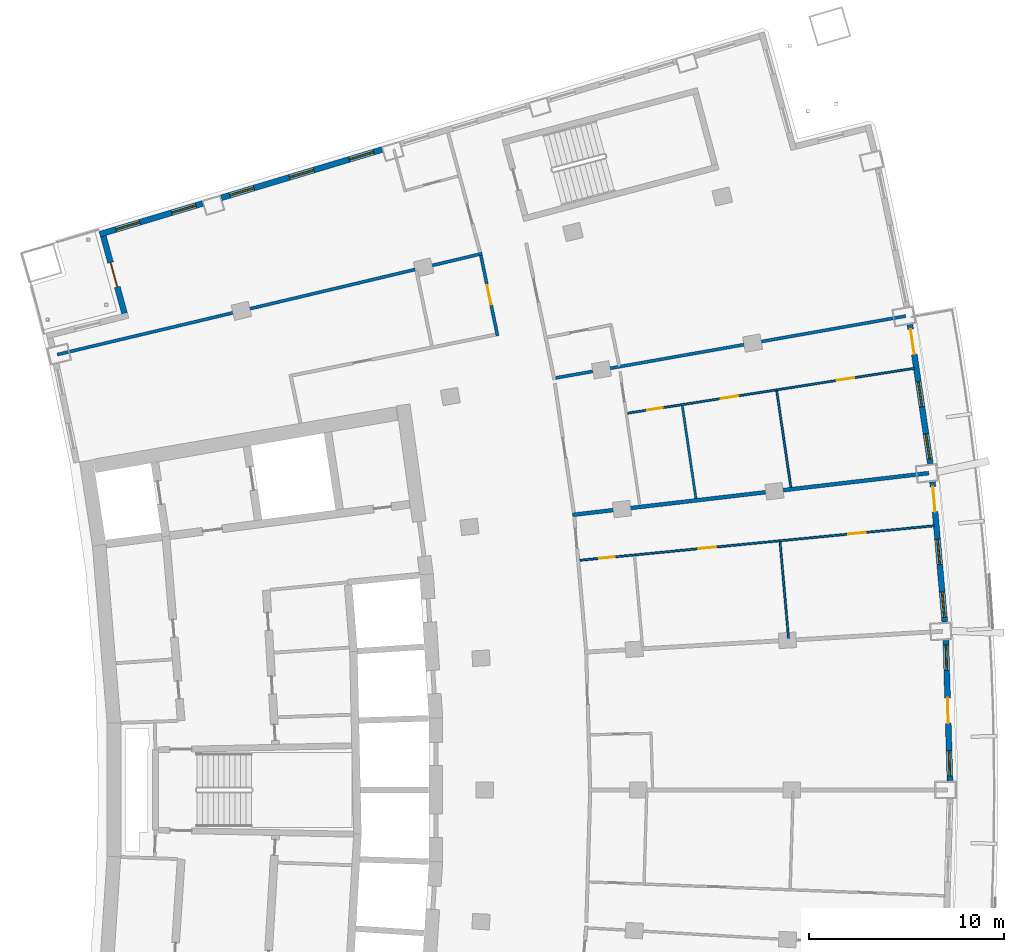
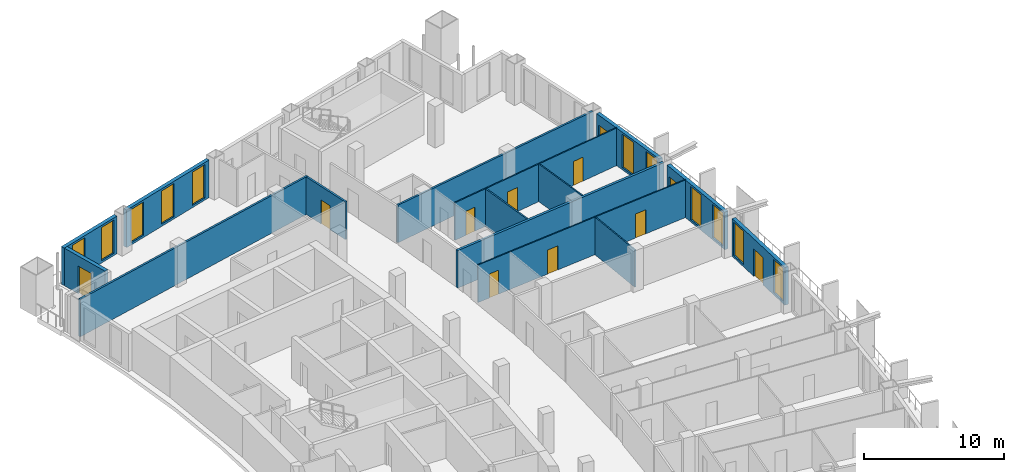
# One storey, part 15 of 20: 15 walls, 11 doors, 11 windows, 22 openings.
"""IFC4 building model written with IfcOpenShell, lengths in metres."""

from ifc_helpers import new_model, si_unit, direction, frame, frame_2d, origin, place, context, subcontext, project, spatial, rectangle, extrude, material, layer, layer_set, type_object, element, fill, save


model = new_model("IFC4")

# Units and contexts
model_context = context("Model", 3, precision=1e-05, world=origin(), true_north=direction((0.0, 1.0)))
body_context = subcontext(model_context, "Body", "Model", "MODEL_VIEW")
ifc_project = project(units=[si_unit("LENGTHUNIT", "METRE"), si_unit("AREAUNIT", "SQUARE_METRE"), si_unit("VOLUMEUNIT", "CUBIC_METRE"), si_unit("PLANEANGLEUNIT", "RADIAN"), si_unit("MASSUNIT", "GRAM", prefix="KILO")], contexts=[model_context])

# Site, building, storey
site_placement = place(None, origin())
site = spatial("IfcSite", under=ifc_project, at=site_placement, CompositionType="ELEMENT")
building_placement = place(site_placement, origin())
building = spatial("IfcBuilding", under=site, at=building_placement, Name="Alderwake Tower", CompositionType="ELEMENT")
storey_placement = place(building_placement, frame((0.0, 0.0, 164.0)))
storey = spatial("IfcBuildingStorey", under=building, at=storey_placement, Name="L40", CompositionType="ELEMENT", Elevation=164.0)

# Wall
ifc_material_1 = material(Name="Gypsum board on metal studs, rated")
ifc_layer_1 = layer(ifc_material_1, 0.159912109375)
ifc_layer_set_1 = layer_set([ifc_layer_1], Name="Corridor wall 160")
wall_type_1 = type_object("IfcWallType", Name="Corridor wall 160", PredefinedType="PARTITIONING", material=ifc_layer_set_1)
wall_1_placement = place(storey_placement, frame((13.884033203125, 83.31298828125, 0.0), z_axis=(0.0, 0.0, 1.0), x_axis=(0.972893462073, 0.231253781493, 0.0)))
element("IfcWall", 1, at=wall_1_placement, inside=storey, type_object=wall_type_1, Name="WL/L40/W11", PredefinedType="PARTITIONING", context=body_context, shape_type="SweptSolid", body=[
    extrude(rectangle(XDim=22.38037109375, YDim=0.159912109375, at=frame_2d((11.190185546875, 0.0))), origin(), (0.0, 0.0, 1.0), 3.280029296875),
])

# Wall, opening, door
wall_2_placement = place(storey_placement, frame((36.451416015625, 84.272705078125, 0.0), z_axis=(0.0, 0.0, 1.0), x_axis=(-0.20329833965, 0.979116839348, 0.0)))
wall_2 = element("IfcWall", 2, at=wall_2_placement, inside=storey, type_object=wall_type_1, Name="WL/L40/W17", PredefinedType="PARTITIONING", context=body_context, shape_type="SweptSolid", body=[
    extrude(rectangle(XDim=4.206787109375, YDim=0.159912109375, at=frame_2d((2.103515625, 0.0))), origin(), (0.0, 0.0, 1.0), 3.280029296875),
])
opening_1_placement = place(wall_2_placement, frame((1.642822265625, 0.0, 0.0)))
opening_1 = element("IfcOpeningElement", 3, at=opening_1_placement, cuts=wall_2, Name="Opening R11-SBN2", PredefinedType="OPENING", context=body_context, shape_type="SweptSolid", body=[
    extrude(rectangle(XDim=1.0, YDim=2.10009765625, at=frame_2d((0.5, 1.050048828125))), frame((0.0, 0.08984375, 0.0), z_axis=(0.0, -1.0, 0.0), x_axis=(1.0, 0.0, 0.0)), (0.0, 0.0, 1.0), 0.179931640625),
])
ifc_material_2 = material(Name="Steel-framed fire door leaf", Category="steel")
door_type_1 = type_object("IfcDoorType", Name="Plant room door 1000 fire-rated", OperationType="SINGLE_SWING_LEFT", PredefinedType="DOOR", material=ifc_material_2)
door_1_placement = place(opening_1_placement, origin())
door_1 = element("IfcDoor", 4, at=door_1_placement, inside=storey, type_object=door_type_1, Name="DR/L40/SBN2", OperationType="SINGLE_SWING_LEFT", OverallHeight=2.10009765625, OverallWidth=1.0, PredefinedType="DOOR", context=body_context, shape_type="SweptSolid", body=[
    extrude(rectangle(XDim=1.0, YDim=2.10009765625, at=frame_2d((0.5, 1.050048828125))), frame((0.0, 0.02490234375, 0.0), z_axis=(0.0, -1.0, 0.0), x_axis=(1.0, 0.0, 0.0)), (0.0, 0.0, 1.0), 0.050048828125),
])
fill(opening_1, door_1)

# Wall
wall_3_placement = place(storey_placement, frame((57.368896484375, 85.287109375, 0.0), z_axis=(0.0, 0.0, 1.0), x_axis=(-0.984728473355, -0.174097196314, 0.0)))
element("IfcWall", 5, at=wall_3_placement, inside=storey, type_object=wall_type_1, Name="WL/L40/W28", PredefinedType="PARTITIONING", context=body_context, shape_type="SweptSolid", body=[
    extrude(rectangle(XDim=18.220458984375, YDim=0.159912109375, at=frame_2d((9.1103515625, 0.0))), origin(), (0.0, 0.0, 1.0), 3.280029296875),
])

# Wall, openings, door, windows
ifc_material_3 = material(Name="Precast concrete C50/60 spandrel panel", Category="concrete")
ifc_layer_2 = layer(ifc_material_3, 0.300048828125)
ifc_layer_set_2 = layer_set([ifc_layer_2], Name="External wall EW1 Precast concrete C50/60 spandrel")
wall_type_2 = type_object("IfcWallType", Name="External wall EW1 Precast concrete C50/60 spandrel", PredefinedType="SOLIDWALL", material=ifc_layer_set_2)
wall_4_placement = place(storey_placement, frame((59.63623046875, 61.472900390625, 0.0), z_axis=(0.0, 0.0, 1.0), x_axis=(-0.029165845971, 0.999574586226, 0.0)))
wall_4 = element("IfcWall", 6, at=wall_4_placement, inside=storey, type_object=wall_type_2, Name="External wall 16", PredefinedType="SOLIDWALL", context=body_context, shape_type="SweptSolid", body=[
    extrude(rectangle(XDim=7.198974609375, YDim=0.300048828125, at=frame_2d((3.599609375, 0.0))), origin(), (0.0, 0.0, 1.0), 3.280029296875),
])
opening_2_placement = place(wall_4_placement, frame((0.2392578125, 0.0, 0.199951171875)))
opening_2 = element("IfcOpeningElement", 7, at=opening_2_placement, cuts=wall_4, Name="Opening W1", PredefinedType="OPENING", context=body_context, shape_type="SweptSolid", body=[
    extrude(rectangle(XDim=1.300048828125, YDim=2.89990234375, at=frame_2d((0.64990234375, 1.449951171875))), frame((0.0, 0.159912109375, 0.0), z_axis=(0.0, -1.0, 0.0), x_axis=(1.0, 0.0, 0.0)), (0.0, 0.0, 1.0), 0.320068359375),
])
opening_3_placement = place(wall_4_placement, frame((2.949462890625, 0.0, 0.0)))
opening_3 = element("IfcOpeningElement", 8, at=opening_3_placement, cuts=wall_4, Name="Opening D06", PredefinedType="OPENING", context=body_context, shape_type="SweptSolid", body=[
    extrude(rectangle(XDim=1.300048828125, YDim=2.39990234375, at=frame_2d((0.64990234375, 1.199951171875))), frame((0.0, 0.159912109375, 0.0), z_axis=(0.0, -1.0, 0.0), x_axis=(1.0, 0.0, 0.0)), (0.0, 0.0, 1.0), 0.320068359375),
])
opening_4_placement = place(wall_4_placement, frame((5.65966796875, 0.0, 0.199951171875)))
opening_4 = element("IfcOpeningElement", 9, at=opening_4_placement, cuts=wall_4, Name="Opening W1", PredefinedType="OPENING", context=body_context, shape_type="SweptSolid", body=[
    extrude(rectangle(XDim=1.300048828125, YDim=2.89990234375, at=frame_2d((0.64990234375, 1.449951171875))), frame((0.0, 0.159912109375, 0.0), z_axis=(0.0, -1.0, 0.0), x_axis=(1.0, 0.0, 0.0)), (0.0, 0.0, 1.0), 0.320068359375),
])
ifc_material_4 = material(Name="Bronze tinted glass in aluminium frame", Category="aluminium")
door_type_2 = type_object("IfcDoorType", Name="Balcony door BD sliding", OperationType="SLIDING_TO_LEFT", PredefinedType="DOOR", material=ifc_material_4)
door_2_placement = place(opening_3_placement, origin())
door_2 = element("IfcDoor", 10, at=door_2_placement, inside=storey, type_object=door_type_2, Name="Door D06", OperationType="SLIDING_TO_LEFT", OverallHeight=2.39990234375, OverallWidth=1.300048828125, PredefinedType="DOOR", context=body_context, shape_type="SweptSolid", body=[
    extrude(rectangle(XDim=1.300048828125, YDim=2.39990234375, at=frame_2d((0.64990234375, 1.199951171875))), frame((0.0, 0.02490234375, 0.0), z_axis=(0.0, -1.0, 0.0), x_axis=(1.0, 0.0, 0.0)), (0.0, 0.0, 1.0), 0.050048828125),
])
fill(opening_3, door_2)
ifc_material_5 = material(Name="Bronze tinted glass in aluminium frame", Category="aluminium")
window_type = type_object("IfcWindowType", Name="Window W1 tall fixed and vent", PartitioningType="DOUBLE_PANEL_VERTICAL", PredefinedType="WINDOW", material=ifc_material_5)
window_1_placement = place(opening_2_placement, origin())
window_1 = element("IfcWindow", 11, at=window_1_placement, inside=storey, type_object=window_type, Name="Window W1 tall fixed and vent", OverallHeight=2.89990234375, OverallWidth=1.300048828125, PartitioningType="DOUBLE_PANEL_VERTICAL", PredefinedType="WINDOW", context=body_context, shape_type="SweptSolid", body=[
    extrude(rectangle(XDim=1.300048828125, YDim=2.89990234375, at=frame_2d((0.64990234375, 1.449951171875))), frame((0.0, 0.030029296875, 0.0), z_axis=(0.0, -1.0, 0.0), x_axis=(1.0, 0.0, 0.0)), (0.0, 0.0, 1.0), 0.06005859375),
])
fill(opening_2, window_1)
window_2_placement = place(opening_4_placement, origin())
window_2 = element("IfcWindow", 12, at=window_2_placement, inside=storey, type_object=window_type, Name="Window W1 tall fixed and vent", OverallHeight=2.89990234375, OverallWidth=1.300048828125, PartitioningType="DOUBLE_PANEL_VERTICAL", PredefinedType="WINDOW", context=body_context, shape_type="SweptSolid", body=[
    extrude(rectangle(XDim=1.300048828125, YDim=2.89990234375, at=frame_2d((0.64990234375, 1.449951171875))), frame((0.0, 0.030029296875, 0.0), z_axis=(0.0, -1.0, 0.0), x_axis=(1.0, 0.0, 0.0)), (0.0, 0.0, 1.0), 0.06005859375),
])
fill(opening_4, window_2)

wall_5_placement = place(storey_placement, frame((59.37109375, 69.613037109375, 0.0), z_axis=(0.0, 0.0, 1.0), x_axis=(-0.087397918497, 0.996173480797, 0.0)))
wall_5 = element("IfcWall", 13, at=wall_5_placement, inside=storey, type_object=wall_type_2, Name="External wall 17", PredefinedType="SOLIDWALL", context=body_context, shape_type="SweptSolid", body=[
    extrude(rectangle(XDim=7.19873046875, YDim=0.300048828125, at=frame_2d((3.599365234375, 0.0))), origin(), (0.0, 0.0, 1.0), 3.280029296875),
])
opening_5_placement = place(wall_5_placement, frame((0.2392578125, 0.0, 0.199951171875)))
opening_5 = element("IfcOpeningElement", 14, at=opening_5_placement, cuts=wall_5, Name="Opening W1", PredefinedType="OPENING", context=body_context, shape_type="SweptSolid", body=[
    extrude(rectangle(XDim=1.300048828125, YDim=2.89990234375, at=frame_2d((0.64990234375, 1.449951171875))), frame((0.0, 0.159912109375, 0.0), z_axis=(0.0, -1.0, 0.0), x_axis=(1.0, 0.0, 0.0)), (0.0, 0.0, 1.0), 0.320068359375),
])
opening_6_placement = place(wall_5_placement, frame((2.949462890625, 0.0, 0.199951171875)))
opening_6 = element("IfcOpeningElement", 15, at=opening_6_placement, cuts=wall_5, Name="Opening W1", PredefinedType="OPENING", context=body_context, shape_type="SweptSolid", body=[
    extrude(rectangle(XDim=1.300048828125, YDim=2.89990234375, at=frame_2d((0.64990234375, 1.449951171875))), frame((0.0, 0.159912109375, 0.0), z_axis=(0.0, -1.0, 0.0), x_axis=(1.0, 0.0, 0.0)), (0.0, 0.0, 1.0), 0.320068359375),
])
opening_7_placement = place(wall_5_placement, frame((5.65966796875, 0.0, 0.0)))
opening_7 = element("IfcOpeningElement", 16, at=opening_7_placement, cuts=wall_5, Name="Opening D07", PredefinedType="OPENING", context=body_context, shape_type="SweptSolid", body=[
    extrude(rectangle(XDim=1.300048828125, YDim=2.39990234375, at=frame_2d((0.64990234375, 1.199951171875))), frame((0.0, 0.159912109375, 0.0), z_axis=(0.0, -1.0, 0.0), x_axis=(1.0, 0.0, 0.0)), (0.0, 0.0, 1.0), 0.320068359375),
])
door_3_placement = place(opening_7_placement, origin())
door_3 = element("IfcDoor", 17, at=door_3_placement, inside=storey, type_object=door_type_2, Name="Door D07", OperationType="SLIDING_TO_LEFT", OverallHeight=2.39990234375, OverallWidth=1.300048828125, PredefinedType="DOOR", context=body_context, shape_type="SweptSolid", body=[
    extrude(rectangle(XDim=1.300048828125, YDim=2.39990234375, at=frame_2d((0.64990234375, 1.199951171875))), frame((0.0, 0.02490234375, 0.0), z_axis=(0.0, -1.0, 0.0), x_axis=(1.0, 0.0, 0.0)), (0.0, 0.0, 1.0), 0.050048828125),
])
fill(opening_7, door_3)
window_3_placement = place(opening_5_placement, origin())
window_3 = element("IfcWindow", 18, at=window_3_placement, inside=storey, type_object=window_type, Name="Window W1 tall fixed and vent", OverallHeight=2.89990234375, OverallWidth=1.300048828125, PartitioningType="DOUBLE_PANEL_VERTICAL", PredefinedType="WINDOW", context=body_context, shape_type="SweptSolid", body=[
    extrude(rectangle(XDim=1.300048828125, YDim=2.89990234375, at=frame_2d((0.64990234375, 1.449951171875))), frame((0.0, 0.030029296875, 0.0), z_axis=(0.0, -1.0, 0.0), x_axis=(1.0, 0.0, 0.0)), (0.0, 0.0, 1.0), 0.06005859375),
])
fill(opening_5, window_3)
window_4_placement = place(opening_6_placement, origin())
window_4 = element("IfcWindow", 19, at=window_4_placement, inside=storey, type_object=window_type, Name="Window W1 tall fixed and vent", OverallHeight=2.89990234375, OverallWidth=1.300048828125, PartitioningType="DOUBLE_PANEL_VERTICAL", PredefinedType="WINDOW", context=body_context, shape_type="SweptSolid", body=[
    extrude(rectangle(XDim=1.300048828125, YDim=2.89990234375, at=frame_2d((0.64990234375, 1.449951171875))), frame((0.0, 0.030029296875, 0.0), z_axis=(0.0, -1.0, 0.0), x_axis=(1.0, 0.0, 0.0)), (0.0, 0.0, 1.0), 0.06005859375),
])
fill(opening_6, window_4)

wall_6_placement = place(storey_placement, frame((58.6318359375, 77.7236328125, 0.0), z_axis=(0.0, 0.0, 1.0), x_axis=(-0.145318248107, 0.989384963888, 0.0)))
wall_6 = element("IfcWall", 20, at=wall_6_placement, inside=storey, type_object=wall_type_2, Name="External wall 18", PredefinedType="SOLIDWALL", context=body_context, shape_type="SweptSolid", body=[
    extrude(rectangle(XDim=7.198974609375, YDim=0.300048828125, at=frame_2d((3.599609375, 0.0))), origin(), (0.0, 0.0, 1.0), 3.280029296875),
])
opening_8_placement = place(wall_6_placement, frame((0.2392578125, 0.0, 0.199951171875)))
opening_8 = element("IfcOpeningElement", 21, at=opening_8_placement, cuts=wall_6, Name="Opening W1", PredefinedType="OPENING", context=body_context, shape_type="SweptSolid", body=[
    extrude(rectangle(XDim=1.300048828125, YDim=2.89990234375, at=frame_2d((0.64990234375, 1.449951171875))), frame((0.0, 0.159912109375, 0.0), z_axis=(0.0, -1.0, 0.0), x_axis=(1.0, 0.0, 0.0)), (0.0, 0.0, 1.0), 0.320068359375),
])
opening_9_placement = place(wall_6_placement, frame((2.949462890625, 0.0, 0.199951171875)))
opening_9 = element("IfcOpeningElement", 22, at=opening_9_placement, cuts=wall_6, Name="Opening W1", PredefinedType="OPENING", context=body_context, shape_type="SweptSolid", body=[
    extrude(rectangle(XDim=1.300048828125, YDim=2.89990234375, at=frame_2d((0.64990234375, 1.449951171875))), frame((0.0, 0.159912109375, 0.0), z_axis=(0.0, -1.0, 0.0), x_axis=(1.0, 0.0, 0.0)), (0.0, 0.0, 1.0), 0.320068359375),
])
opening_10_placement = place(wall_6_placement, frame((5.65966796875, 0.0, 0.0)))
opening_10 = element("IfcOpeningElement", 23, at=opening_10_placement, cuts=wall_6, Name="Opening D08", PredefinedType="OPENING", context=body_context, shape_type="SweptSolid", body=[
    extrude(rectangle(XDim=1.300048828125, YDim=2.39990234375, at=frame_2d((0.64990234375, 1.199951171875))), frame((0.0, 0.159912109375, 0.0), z_axis=(0.0, -1.0, 0.0), x_axis=(1.0, 0.0, 0.0)), (0.0, 0.0, 1.0), 0.320068359375),
])
door_4_placement = place(opening_10_placement, origin())
door_4 = element("IfcDoor", 24, at=door_4_placement, inside=storey, type_object=door_type_2, Name="Door D08", OperationType="SLIDING_TO_LEFT", OverallHeight=2.39990234375, OverallWidth=1.300048828125, PredefinedType="DOOR", context=body_context, shape_type="SweptSolid", body=[
    extrude(rectangle(XDim=1.300048828125, YDim=2.39990234375, at=frame_2d((0.64990234375, 1.199951171875))), frame((0.0, 0.02490234375, 0.0), z_axis=(0.0, -1.0, 0.0), x_axis=(1.0, 0.0, 0.0)), (0.0, 0.0, 1.0), 0.050048828125),
])
fill(opening_10, door_4)
window_5_placement = place(opening_8_placement, origin())
window_5 = element("IfcWindow", 25, at=window_5_placement, inside=storey, type_object=window_type, Name="Window W1 tall fixed and vent", OverallHeight=2.89990234375, OverallWidth=1.300048828125, PartitioningType="DOUBLE_PANEL_VERTICAL", PredefinedType="WINDOW", context=body_context, shape_type="SweptSolid", body=[
    extrude(rectangle(XDim=1.300048828125, YDim=2.89990234375, at=frame_2d((0.64990234375, 1.449951171875))), frame((0.0, 0.030029296875, 0.0), z_axis=(0.0, -1.0, 0.0), x_axis=(1.0, 0.0, 0.0)), (0.0, 0.0, 1.0), 0.06005859375),
])
fill(opening_8, window_5)
window_6_placement = place(opening_9_placement, origin())
window_6 = element("IfcWindow", 26, at=window_6_placement, inside=storey, type_object=window_type, Name="Window W1 tall fixed and vent", OverallHeight=2.89990234375, OverallWidth=1.300048828125, PartitioningType="DOUBLE_PANEL_VERTICAL", PredefinedType="WINDOW", context=body_context, shape_type="SweptSolid", body=[
    extrude(rectangle(XDim=1.300048828125, YDim=2.89990234375, at=frame_2d((0.64990234375, 1.449951171875))), frame((0.0, 0.030029296875, 0.0), z_axis=(0.0, -1.0, 0.0), x_axis=(1.0, 0.0, 0.0)), (0.0, 0.0, 1.0), 0.06005859375),
])
fill(opening_9, window_6)

# Wall, openings, windows
ifc_material_6 = material(Name="Bronze metal cladding on lightweight framing")
ifc_layer_3 = layer(ifc_material_6, 0.300048828125)
ifc_layer_set_3 = layer_set([ifc_layer_3], Name="External wall EW2 bronze metal cladding")
wall_type_3 = type_object("IfcWallType", Name="External wall EW2 bronze metal cladding", PredefinedType="SOLIDWALL", material=ifc_layer_set_3)
wall_7_placement = place(storey_placement, frame((30.527587890625, 93.818115234375, 0.0), z_axis=(0.0, 0.0, 1.0), x_axis=(-0.957768419769, -0.287540699891, 0.0)))
wall_7 = element("IfcWall", 27, at=wall_7_placement, inside=storey, type_object=wall_type_3, Name="External wall 26", PredefinedType="SOLIDWALL", context=body_context, shape_type="SweptSolid", body=[
    extrude(rectangle(XDim=8.595947265625, YDim=0.300048828125, at=frame_2d((4.2978515625, 0.0))), origin(), (0.0, 0.0, 1.0), 3.280029296875),
])
opening_11_placement = place(wall_7_placement, frame((0.447998046875, 0.0, 0.199951171875)))
opening_11 = element("IfcOpeningElement", 28, at=opening_11_placement, cuts=wall_7, Name="Opening W1", PredefinedType="OPENING", context=body_context, shape_type="SweptSolid", body=[
    extrude(rectangle(XDim=1.300048828125, YDim=2.89990234375, at=frame_2d((0.64990234375, 1.449951171875))), frame((0.0, 0.159912109375, 0.0), z_axis=(0.0, -1.0, 0.0), x_axis=(1.0, 0.0, 0.0)), (0.0, 0.0, 1.0), 0.320068359375),
])
opening_12_placement = place(wall_7_placement, frame((3.64794921875, 0.0, 0.199951171875)))
opening_12 = element("IfcOpeningElement", 29, at=opening_12_placement, cuts=wall_7, Name="Opening W1", PredefinedType="OPENING", context=body_context, shape_type="SweptSolid", body=[
    extrude(rectangle(XDim=1.300048828125, YDim=2.89990234375, at=frame_2d((0.64990234375, 1.449951171875))), frame((0.0, 0.159912109375, 0.0), z_axis=(0.0, -1.0, 0.0), x_axis=(1.0, 0.0, 0.0)), (0.0, 0.0, 1.0), 0.320068359375),
])
opening_13_placement = place(wall_7_placement, frame((6.84814453125, 0.0, 0.199951171875)))
opening_13 = element("IfcOpeningElement", 30, at=opening_13_placement, cuts=wall_7, Name="Opening W1", PredefinedType="OPENING", context=body_context, shape_type="SweptSolid", body=[
    extrude(rectangle(XDim=1.300048828125, YDim=2.89990234375, at=frame_2d((0.64990234375, 1.449951171875))), frame((0.0, 0.159912109375, 0.0), z_axis=(0.0, -1.0, 0.0), x_axis=(1.0, 0.0, 0.0)), (0.0, 0.0, 1.0), 0.320068359375),
])
window_7_placement = place(opening_11_placement, origin())
window_7 = element("IfcWindow", 31, at=window_7_placement, inside=storey, type_object=window_type, Name="Window W1 tall fixed and vent", OverallHeight=2.89990234375, OverallWidth=1.300048828125, PartitioningType="DOUBLE_PANEL_VERTICAL", PredefinedType="WINDOW", context=body_context, shape_type="SweptSolid", body=[
    extrude(rectangle(XDim=1.300048828125, YDim=2.89990234375, at=frame_2d((0.64990234375, 1.449951171875))), frame((0.0, 0.030029296875, 0.0), z_axis=(0.0, -1.0, 0.0), x_axis=(1.0, 0.0, 0.0)), (0.0, 0.0, 1.0), 0.06005859375),
])
fill(opening_11, window_7)
window_8_placement = place(opening_12_placement, origin())
window_8 = element("IfcWindow", 32, at=window_8_placement, inside=storey, type_object=window_type, Name="Window W1 tall fixed and vent", OverallHeight=2.89990234375, OverallWidth=1.300048828125, PartitioningType="DOUBLE_PANEL_VERTICAL", PredefinedType="WINDOW", context=body_context, shape_type="SweptSolid", body=[
    extrude(rectangle(XDim=1.300048828125, YDim=2.89990234375, at=frame_2d((0.64990234375, 1.449951171875))), frame((0.0, 0.030029296875, 0.0), z_axis=(0.0, -1.0, 0.0), x_axis=(1.0, 0.0, 0.0)), (0.0, 0.0, 1.0), 0.06005859375),
])
fill(opening_12, window_8)
window_9_placement = place(opening_13_placement, origin())
window_9 = element("IfcWindow", 33, at=window_9_placement, inside=storey, type_object=window_type, Name="Window W1 tall fixed and vent", OverallHeight=2.89990234375, OverallWidth=1.300048828125, PartitioningType="DOUBLE_PANEL_VERTICAL", PredefinedType="WINDOW", context=body_context, shape_type="SweptSolid", body=[
    extrude(rectangle(XDim=1.300048828125, YDim=2.89990234375, at=frame_2d((0.64990234375, 1.449951171875))), frame((0.0, 0.030029296875, 0.0), z_axis=(0.0, -1.0, 0.0), x_axis=(1.0, 0.0, 0.0)), (0.0, 0.0, 1.0), 0.06005859375),
])
fill(opening_13, window_9)

wall_8_placement = place(storey_placement, frame((21.332763671875, 91.0576171875, 0.0), z_axis=(0.0, 0.0, 1.0), x_axis=(-0.957767615614, -0.287543378434, 0.0)))
wall_8 = element("IfcWall", 34, at=wall_8_placement, inside=storey, type_object=wall_type_3, Name="External wall 27", PredefinedType="SOLIDWALL", context=body_context, shape_type="SweptSolid", body=[
    extrude(rectangle(XDim=5.499267578125, YDim=0.300048828125, at=frame_2d((2.74951171875, 0.0))), origin(), (0.0, 0.0, 1.0), 3.280029296875),
])
opening_14_placement = place(wall_8_placement, frame((0.34814453125, 0.0, 0.199951171875)))
opening_14 = element("IfcOpeningElement", 35, at=opening_14_placement, cuts=wall_8, Name="Opening W1", PredefinedType="OPENING", context=body_context, shape_type="SweptSolid", body=[
    extrude(rectangle(XDim=1.300048828125, YDim=2.89990234375, at=frame_2d((0.64990234375, 1.449951171875))), frame((0.0, 0.159912109375, 0.0), z_axis=(0.0, -1.0, 0.0), x_axis=(1.0, 0.0, 0.0)), (0.0, 0.0, 1.0), 0.320068359375),
])
opening_15_placement = place(wall_8_placement, frame((3.34912109375, 0.0, 0.199951171875)))
opening_15 = element("IfcOpeningElement", 36, at=opening_15_placement, cuts=wall_8, Name="Opening W1", PredefinedType="OPENING", context=body_context, shape_type="SweptSolid", body=[
    extrude(rectangle(XDim=1.300048828125, YDim=2.89990234375, at=frame_2d((0.64990234375, 1.449951171875))), frame((0.0, 0.159912109375, 0.0), z_axis=(0.0, -1.0, 0.0), x_axis=(1.0, 0.0, 0.0)), (0.0, 0.0, 1.0), 0.320068359375),
])
window_10_placement = place(opening_14_placement, origin())
window_10 = element("IfcWindow", 37, at=window_10_placement, inside=storey, type_object=window_type, Name="Window W1 tall fixed and vent", OverallHeight=2.89990234375, OverallWidth=1.300048828125, PartitioningType="DOUBLE_PANEL_VERTICAL", PredefinedType="WINDOW", context=body_context, shape_type="SweptSolid", body=[
    extrude(rectangle(XDim=1.300048828125, YDim=2.89990234375, at=frame_2d((0.64990234375, 1.449951171875))), frame((0.0, 0.030029296875, 0.0), z_axis=(0.0, -1.0, 0.0), x_axis=(1.0, 0.0, 0.0)), (0.0, 0.0, 1.0), 0.06005859375),
])
fill(opening_14, window_10)
window_11_placement = place(opening_15_placement, origin())
window_11 = element("IfcWindow", 38, at=window_11_placement, inside=storey, type_object=window_type, Name="Window W1 tall fixed and vent", OverallHeight=2.89990234375, OverallWidth=1.300048828125, PartitioningType="DOUBLE_PANEL_VERTICAL", PredefinedType="WINDOW", context=body_context, shape_type="SweptSolid", body=[
    extrude(rectangle(XDim=1.300048828125, YDim=2.89990234375, at=frame_2d((0.64990234375, 1.449951171875))), frame((0.0, 0.030029296875, 0.0), z_axis=(0.0, -1.0, 0.0), x_axis=(1.0, 0.0, 0.0)), (0.0, 0.0, 1.0), 0.06005859375),
])
fill(opening_15, window_11)

# Wall, opening, door
wall_9_placement = place(storey_placement, frame((16.248779296875, 89.374755859375, 0.0), z_axis=(0.0, 0.0, 1.0), x_axis=(0.264607053468, -0.964356317579, 0.0)))
wall_9 = element("IfcWall", 39, at=wall_9_placement, inside=storey, type_object=wall_type_3, Name="External wall 28", PredefinedType="SOLIDWALL", context=body_context, shape_type="SweptSolid", body=[
    extrude(rectangle(XDim=4.090087890625, YDim=0.300048828125, at=frame_2d((2.044921875, 0.0))), origin(), (0.0, 0.0, 1.0), 3.280029296875),
])
opening_16_placement = place(wall_9_placement, frame((1.39501953125, 0.0, 0.0)))
opening_16 = element("IfcOpeningElement", 40, at=opening_16_placement, cuts=wall_9, Name="Opening D09", PredefinedType="OPENING", context=body_context, shape_type="SweptSolid", body=[
    extrude(rectangle(XDim=1.300048828125, YDim=2.39990234375, at=frame_2d((0.64990234375, 1.199951171875))), frame((0.0, 0.159912109375, 0.0), z_axis=(0.0, -1.0, 0.0), x_axis=(1.0, 0.0, 0.0)), (0.0, 0.0, 1.0), 0.320068359375),
])
door_5_placement = place(opening_16_placement, origin())
door_5 = element("IfcDoor", 41, at=door_5_placement, inside=storey, type_object=door_type_2, Name="Door D09", OperationType="SLIDING_TO_LEFT", OverallHeight=2.39990234375, OverallWidth=1.300048828125, PredefinedType="DOOR", context=body_context, shape_type="SweptSolid", body=[
    extrude(rectangle(XDim=1.300048828125, YDim=2.39990234375, at=frame_2d((0.64990234375, 1.199951171875))), frame((0.0, 0.02490234375, 0.0), z_axis=(0.0, -1.0, 0.0), x_axis=(1.0, 0.0, 0.0)), (0.0, 0.0, 1.0), 0.050048828125),
])
fill(opening_16, door_5)

# Wall
ifc_material_7 = material(Name="Dense block masonry wall", Category="masonry")
ifc_layer_4 = layer(ifc_material_7, 0.199951171875)
ifc_layer_set_4 = layer_set([ifc_layer_4], Name="Party wall 200")
wall_type_4 = type_object("IfcWallType", Name="Party wall 200", PredefinedType="SOLIDWALL", material=ifc_layer_set_4)
wall_10_placement = place(storey_placement, frame((40.297607421875, 75.0986328125, 0.0), z_axis=(0.0, 0.0, 1.0), x_axis=(0.993201379806, 0.116408844812, 0.0)))
element("IfcWall", 42, at=wall_10_placement, inside=storey, type_object=wall_type_4, Name="WL/L40/W02", PredefinedType="SOLIDWALL", context=body_context, shape_type="SweptSolid", body=[
    extrude(rectangle(XDim=18.37841796875, YDim=0.199951171875, at=frame_2d((9.189208984375, 0.0))), origin(), (0.0, 0.0, 1.0), 3.280029296875),
])

# Wall, openings, doors
ifc_material_8 = material(Name="Gypsum board on metal studs")
ifc_layer_5 = layer(ifc_material_8, 0.10009765625)
ifc_layer_set_5 = layer_set([ifc_layer_5], Name="Unit partition 100")
wall_type_5 = type_object("IfcWallType", Name="Unit partition 100", PredefinedType="PARTITIONING", material=ifc_layer_set_5)
wall_11_placement = place(storey_placement, frame((58.839111328125, 74.541015625, 0.0), z_axis=(0.0, 0.0, 1.0), x_axis=(-0.995286630544, -0.096976920246, 0.0)))
wall_11 = element("IfcWall", 43, at=wall_11_placement, inside=storey, type_object=wall_type_5, Name="WL/L40/W44", PredefinedType="PARTITIONING", context=body_context, shape_type="SweptSolid", body=[
    extrude(rectangle(XDim=18.2646484375, YDim=0.10009765625, at=frame_2d((9.13232421875, 0.0))), origin(), (0.0, 0.0, 1.0), 3.280029296875),
])
opening_17_placement = place(wall_11_placement, frame((11.247802734375, 0.0, 0.0)))
opening_17 = element("IfcOpeningElement", 44, at=opening_17_placement, cuts=wall_11, Name="Opening R11-U07.1", PredefinedType="OPENING", context=body_context, shape_type="SweptSolid", body=[
    extrude(rectangle(XDim=0.89990234375, YDim=2.10009765625, at=frame_2d((0.449951171875, 1.050048828125))), frame((0.0, 0.06005859375, 0.0), z_axis=(0.0, -1.0, 0.0), x_axis=(1.0, 0.0, 0.0)), (0.0, 0.0, 1.0), 0.1201171875),
])
opening_18_placement = place(wall_11_placement, frame((16.45458984375, 0.0, 0.0)))
opening_18 = element("IfcOpeningElement", 45, at=opening_18_placement, cuts=wall_11, Name="Opening R11-U07.3", PredefinedType="OPENING", context=body_context, shape_type="SweptSolid", body=[
    extrude(rectangle(XDim=0.800048828125, YDim=2.10009765625, at=frame_2d((0.39990234375, 1.050048828125))), frame((0.0, 0.06005859375, 0.0), z_axis=(0.0, -1.0, 0.0), x_axis=(1.0, 0.0, 0.0)), (0.0, 0.0, 1.0), 0.1201171875),
])
opening_19_placement = place(wall_11_placement, frame((3.526123046875, 0.0, 0.0)))
opening_19 = element("IfcOpeningElement", 46, at=opening_19_placement, cuts=wall_11, Name="Opening R11-U07.4", PredefinedType="OPENING", context=body_context, shape_type="SweptSolid", body=[
    extrude(rectangle(XDim=0.89990234375, YDim=2.10009765625, at=frame_2d((0.449951171875, 1.050048828125))), frame((0.0, 0.06005859375, 0.0), z_axis=(0.0, -1.0, 0.0), x_axis=(1.0, 0.0, 0.0)), (0.0, 0.0, 1.0), 0.1201171875),
])
ifc_material_9 = material(Name="Painted timber leaf", Category="wood")
door_type_3 = type_object("IfcDoorType", Name="Bathroom door 800", OperationType="SINGLE_SWING_LEFT", PredefinedType="DOOR", material=ifc_material_9)
door_6_placement = place(opening_18_placement, origin())
door_6 = element("IfcDoor", 47, at=door_6_placement, inside=storey, type_object=door_type_3, Name="DR/L40/U07.3", OperationType="SINGLE_SWING_LEFT", OverallHeight=2.10009765625, OverallWidth=0.800048828125, PredefinedType="DOOR", context=body_context, shape_type="SweptSolid", body=[
    extrude(rectangle(XDim=0.800048828125, YDim=2.10009765625, at=frame_2d((0.39990234375, 1.050048828125))), frame((0.0, 0.02490234375, 0.0), z_axis=(0.0, -1.0, 0.0), x_axis=(1.0, 0.0, 0.0)), (0.0, 0.0, 1.0), 0.050048828125),
])
fill(opening_18, door_6)
ifc_material_10 = material(Name="Painted timber leaf", Category="wood")
door_type_4 = type_object("IfcDoorType", Name="Room door 900", OperationType="SINGLE_SWING_LEFT", PredefinedType="DOOR", material=ifc_material_10)
door_7_placement = place(opening_17_placement, origin())
door_7 = element("IfcDoor", 48, at=door_7_placement, inside=storey, type_object=door_type_4, Name="DR/L40/U07.1", OperationType="SINGLE_SWING_LEFT", OverallHeight=2.10009765625, OverallWidth=0.89990234375, PredefinedType="DOOR", context=body_context, shape_type="SweptSolid", body=[
    extrude(rectangle(XDim=0.89990234375, YDim=2.10009765625, at=frame_2d((0.449951171875, 1.050048828125))), frame((0.0, 0.02490234375, 0.0), z_axis=(0.0, -1.0, 0.0), x_axis=(1.0, 0.0, 0.0)), (0.0, 0.0, 1.0), 0.050048828125),
])
fill(opening_17, door_7)
door_8_placement = place(opening_19_placement, origin())
door_8 = element("IfcDoor", 49, at=door_8_placement, inside=storey, type_object=door_type_4, Name="DR/L40/U07.4", OperationType="SINGLE_SWING_LEFT", OverallHeight=2.10009765625, OverallWidth=0.89990234375, PredefinedType="DOOR", context=body_context, shape_type="SweptSolid", body=[
    extrude(rectangle(XDim=0.89990234375, YDim=2.10009765625, at=frame_2d((0.449951171875, 1.050048828125))), frame((0.0, 0.02490234375, 0.0), z_axis=(0.0, -1.0, 0.0), x_axis=(1.0, 0.0, 0.0)), (0.0, 0.0, 1.0), 0.050048828125),
])
fill(opening_19, door_8)

wall_12_placement = place(storey_placement, frame((57.81298828125, 82.611083984375, 0.0), z_axis=(0.0, 0.0, 1.0), x_axis=(-0.987947676948, -0.154788202432, 0.0)))
wall_12 = element("IfcWall", 50, at=wall_12_placement, inside=storey, type_object=wall_type_5, Name="WL/L40/W47", PredefinedType="PARTITIONING", context=body_context, shape_type="SweptSolid", body=[
    extrude(rectangle(XDim=14.883056640625, YDim=0.10009765625, at=frame_2d((7.44140625, 0.0))), origin(), (0.0, 0.0, 1.0), 3.280029296875),
])
opening_20_placement = place(wall_12_placement, frame((9.147216796875, 0.0, 0.0)))
opening_20 = element("IfcOpeningElement", 51, at=opening_20_placement, cuts=wall_12, Name="Opening R11-U08.1", PredefinedType="OPENING", context=body_context, shape_type="SweptSolid", body=[
    extrude(rectangle(XDim=0.89990234375, YDim=2.10009765625, at=frame_2d((0.449951171875, 1.050048828125))), frame((0.0, 0.06005859375, 0.0), z_axis=(0.0, -1.0, 0.0), x_axis=(1.0, 0.0, 0.0)), (0.0, 0.0, 1.0), 0.1201171875),
])
opening_21_placement = place(wall_12_placement, frame((13.064208984375, 0.0, 0.0)))
opening_21 = element("IfcOpeningElement", 52, at=opening_21_placement, cuts=wall_12, Name="Opening R11-U08.4", PredefinedType="OPENING", context=body_context, shape_type="SweptSolid", body=[
    extrude(rectangle(XDim=0.800048828125, YDim=2.10009765625, at=frame_2d((0.39990234375, 1.050048828125))), frame((0.0, 0.06005859375, 0.0), z_axis=(0.0, -1.0, 0.0), x_axis=(1.0, 0.0, 0.0)), (0.0, 0.0, 1.0), 0.1201171875),
])
opening_22_placement = place(wall_12_placement, frame((3.124755859375, 0.0, 0.0)))
opening_22 = element("IfcOpeningElement", 53, at=opening_22_placement, cuts=wall_12, Name="Opening R11-U08.5", PredefinedType="OPENING", context=body_context, shape_type="SweptSolid", body=[
    extrude(rectangle(XDim=0.89990234375, YDim=2.10009765625, at=frame_2d((0.449951171875, 1.050048828125))), frame((0.0, 0.06005859375, 0.0), z_axis=(0.0, -1.0, 0.0), x_axis=(1.0, 0.0, 0.0)), (0.0, 0.0, 1.0), 0.1201171875),
])
door_9_placement = place(opening_21_placement, origin())
door_9 = element("IfcDoor", 54, at=door_9_placement, inside=storey, type_object=door_type_3, Name="DR/L40/U08.4", OperationType="SINGLE_SWING_LEFT", OverallHeight=2.10009765625, OverallWidth=0.800048828125, PredefinedType="DOOR", context=body_context, shape_type="SweptSolid", body=[
    extrude(rectangle(XDim=0.800048828125, YDim=2.10009765625, at=frame_2d((0.39990234375, 1.050048828125))), frame((0.0, 0.02490234375, 0.0), z_axis=(0.0, -1.0, 0.0), x_axis=(1.0, 0.0, 0.0)), (0.0, 0.0, 1.0), 0.050048828125),
])
fill(opening_21, door_9)
door_10_placement = place(opening_20_placement, origin())
door_10 = element("IfcDoor", 55, at=door_10_placement, inside=storey, type_object=door_type_4, Name="DR/L40/U08.1", OperationType="SINGLE_SWING_LEFT", OverallHeight=2.10009765625, OverallWidth=0.89990234375, PredefinedType="DOOR", context=body_context, shape_type="SweptSolid", body=[
    extrude(rectangle(XDim=0.89990234375, YDim=2.10009765625, at=frame_2d((0.449951171875, 1.050048828125))), frame((0.0, 0.02490234375, 0.0), z_axis=(0.0, -1.0, 0.0), x_axis=(1.0, 0.0, 0.0)), (0.0, 0.0, 1.0), 0.050048828125),
])
fill(opening_20, door_10)
door_11_placement = place(opening_22_placement, origin())
door_11 = element("IfcDoor", 56, at=door_11_placement, inside=storey, type_object=door_type_4, Name="DR/L40/U08.5", OperationType="SINGLE_SWING_LEFT", OverallHeight=2.10009765625, OverallWidth=0.89990234375, PredefinedType="DOOR", context=body_context, shape_type="SweptSolid", body=[
    extrude(rectangle(XDim=0.89990234375, YDim=2.10009765625, at=frame_2d((0.449951171875, 1.050048828125))), frame((0.0, 0.02490234375, 0.0), z_axis=(0.0, -1.0, 0.0), x_axis=(1.0, 0.0, 0.0)), (0.0, 0.0, 1.0), 0.050048828125),
])
fill(opening_22, door_11)

# Walls
wall_13_placement = place(storey_placement, frame((51.36328125, 68.772705078125, 0.0), z_axis=(0.0, 0.0, 1.0), x_axis=(-0.087352937881, 0.996177426086, 0.0)))
element("IfcWall", 57, at=wall_13_placement, inside=storey, type_object=wall_type_5, Name="WL/L40/W52", PredefinedType="PARTITIONING", context=body_context, shape_type="SweptSolid", body=[
    extrude(rectangle(XDim=4.966552734375, YDim=0.10009765625, at=frame_2d((2.4833984375, 0.0))), origin(), (0.0, 0.0, 1.0), 3.280029296875),
])
wall_14_placement = place(storey_placement, frame((51.4833984375, 76.509033203125, 0.0), z_axis=(0.0, 0.0, 1.0), x_axis=(-0.14506509727, 0.98942211293, 0.0)))
element("IfcWall", 58, at=wall_14_placement, inside=storey, type_object=wall_type_5, Name="WL/L40/W54", PredefinedType="PARTITIONING", context=body_context, shape_type="SweptSolid", body=[
    extrude(rectangle(XDim=4.99853515625, YDim=0.10009765625, at=frame_2d((2.499267578125, 0.0))), origin(), (0.0, 0.0, 1.0), 3.280029296875),
])
ifc_material_11 = material(Name="Moisture resistant gypsum board on metal studs")
ifc_layer_6 = layer(ifc_material_11, 0.1201171875)
ifc_layer_set_6 = layer_set([ifc_layer_6], Name="Wet room partition 120")
wall_type_6 = type_object("IfcWallType", Name="Wet room partition 120", PredefinedType="PARTITIONING", material=ifc_layer_set_6)
wall_15_placement = place(storey_placement, frame((46.617431640625, 75.93896484375, 0.0), z_axis=(0.0, 0.0, 1.0), x_axis=(-0.145238137818, 0.989396726962, 0.0)))
element("IfcWall", 59, at=wall_15_placement, inside=storey, type_object=wall_type_6, Name="WL/L40/W42", PredefinedType="PARTITIONING", context=body_context, shape_type="SweptSolid", body=[
    extrude(rectangle(XDim=4.8076171875, YDim=0.1201171875, at=frame_2d((2.40380859375, 0.0))), origin(), (0.0, 0.0, 1.0), 3.280029296875),
])

save(model, "model.ifc")
